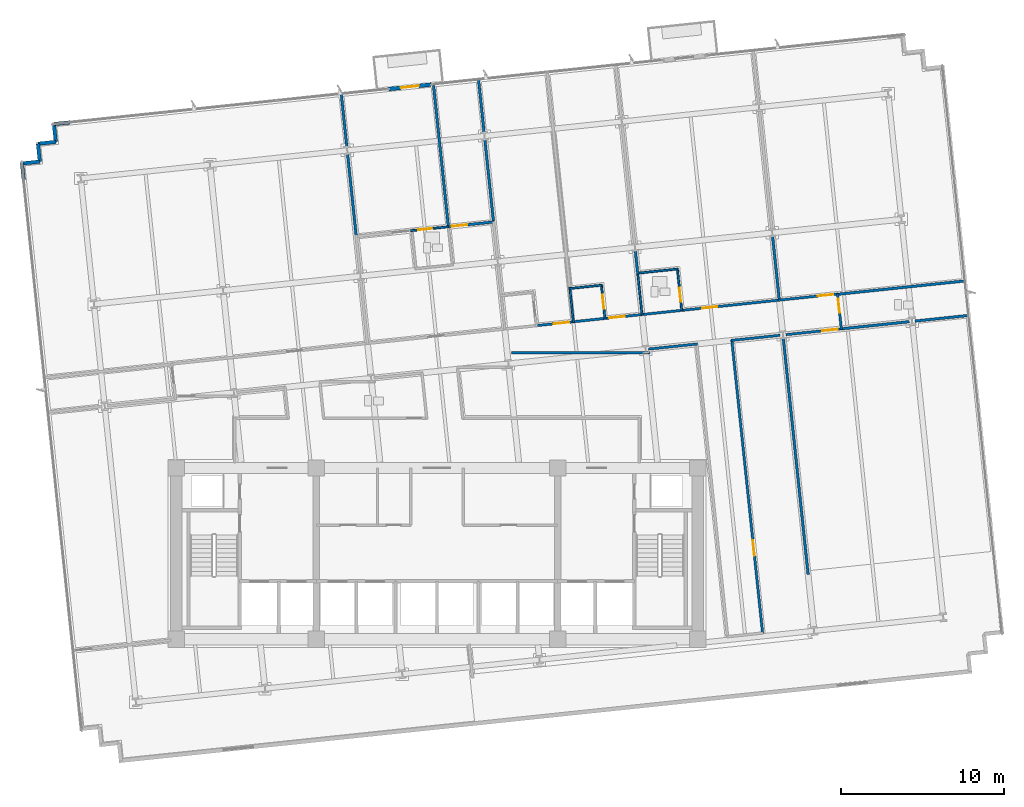
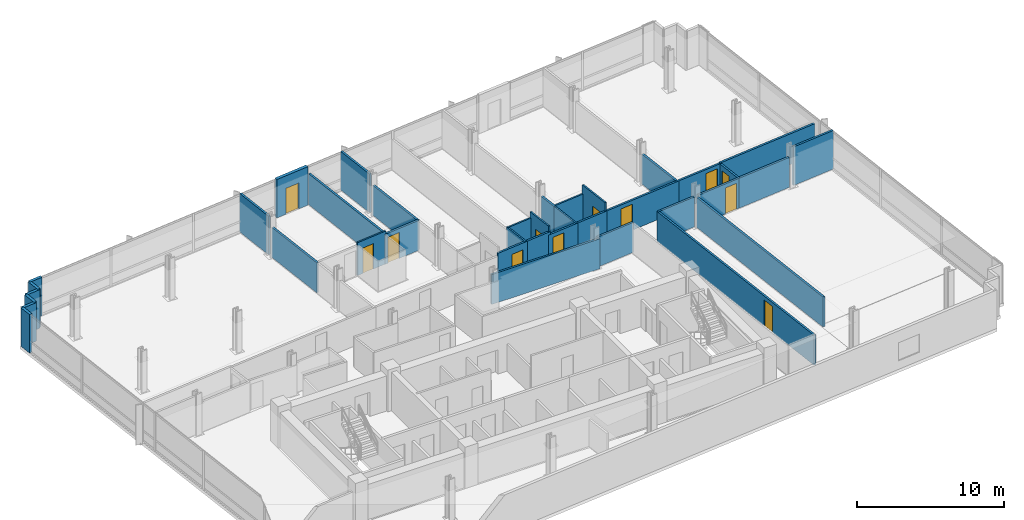
# One storey, part 12 of 17: 38 walls, 12 doors, 12 openings.
"""IFC4 building model written with IfcOpenShell, lengths in metres."""

from ifc_helpers import new_model, si_unit, direction, frame, frame_2d, origin, place, context, subcontext, project, spatial, rectangle, extrude, material, layer, layer_set, type_object, element, fill, save


model = new_model("IFC4")

# Units and contexts
model_context = context("Model", 3, precision=1e-05, world=origin(), true_north=direction((0.0, 1.0)))
body_context = subcontext(model_context, "Body", "Model", "MODEL_VIEW")
ifc_project = project(units=[si_unit("LENGTHUNIT", "METRE"), si_unit("AREAUNIT", "SQUARE_METRE"), si_unit("VOLUMEUNIT", "CUBIC_METRE"), si_unit("PLANEANGLEUNIT", "RADIAN"), si_unit("MASSUNIT", "GRAM", prefix="KILO")], contexts=[model_context])

# Site, building, storey
site_placement = place(None, origin())
site = spatial("IfcSite", under=ifc_project, at=site_placement, CompositionType="ELEMENT")
building_placement = place(site_placement, origin())
building = spatial("IfcBuilding", under=site, at=building_placement, Name="Solmavex Isthmus Hotel", CompositionType="ELEMENT")
storey_placement = place(building_placement, frame((0.0, 0.0, 90.449951171875)))
storey = spatial("IfcBuildingStorey", under=building, at=storey_placement, Name="L24", CompositionType="ELEMENT", Elevation=90.449951171875)

# Wall, opening, door
ifc_material_1 = material(Name="Precast Concrete C40/50", Category="concrete")
ifc_layer_1 = layer(ifc_material_1, 0.25)
ifc_layer_set_1 = layer_set([ifc_layer_1], Name="Precast Concrete C40/50")
wall_type_1 = type_object("IfcWallType", Name="EW-TWR-250", PredefinedType="STANDARD", material=ifc_layer_set_1)
wall_1_placement = place(storey_placement, frame((-2.95458984375, 20.744140625, 0.0), z_axis=(0.0, 0.0, 1.0), x_axis=(0.994523446942, 0.104513699976, 0.0)))
wall_1 = element("IfcWall", 1, at=wall_1_placement, inside=storey, type_object=wall_type_1, Name="Exterior Balcony Door Wall L24-2", PredefinedType="STANDARD", context=body_context, shape_type="SweptSolid", body=[
    extrude(rectangle(XDim=2.599853515625, YDim=0.239990234375, at=frame_2d((1.2998046875, 0.0))), origin(), (0.0, 0.0, 1.0), 3.18994140625),
])
opening_1_placement = place(wall_1_placement, frame((0.75, 0.0, 0.0)))
opening_1 = element("IfcOpeningElement", 2, at=opening_1_placement, cuts=wall_1, Name="Opening ED-02", PredefinedType="OPENING", context=body_context, shape_type="SweptSolid", body=[
    extrude(rectangle(XDim=1.10009765625, YDim=2.14990234375, at=frame_2d((0.550048828125, 1.074951171875))), frame((0.0, 0.1298828125, 0.0), z_axis=(0.0, -1.0, 0.0), x_axis=(1.0, 0.0, 0.0)), (0.0, 0.0, 1.0), 0.260009765625),
])
ifc_material_2 = material(Name="Aluminium alloy 6063-T6", Category="aluminium")
door_type_1 = type_object("IfcDoorType", Name="EDR-BALC-1100", OperationType="NOTDEFINED", PredefinedType="DOOR", material=ifc_material_2)
door_1_placement = place(opening_1_placement, origin())
door_1 = element("IfcDoor", 3, at=door_1_placement, inside=storey, type_object=door_type_1, Name="Balcony & Terrace Glazed Door L24-2", OperationType="SINGLE_SWING_RIGHT", OverallHeight=2.14990234375, OverallWidth=1.10009765625, PredefinedType="DOOR", context=body_context, shape_type="SweptSolid", body=[
    extrude(rectangle(XDim=1.10009765625, YDim=2.14990234375, at=frame_2d((0.550048828125, 1.074951171875))), frame((0.0, 0.02490234375, 0.0), z_axis=(0.0, -1.0, 0.0), x_axis=(1.0, 0.0, 0.0)), (0.0, 0.0, 1.0), 0.050048828125),
])
fill(opening_1, door_1)

# Walls
wall_2_placement = place(storey_placement, frame((-25.35400390625, 15.1923828125, 0.0), z_axis=(0.0, 0.0, 1.0), x_axis=(-0.104556418955, 0.99451895671, 0.0)))
element("IfcWall", 4, at=wall_2_placement, inside=storey, type_object=wall_type_1, Name="Serrated Corner Facade Panel L24-07", PredefinedType="STANDARD", context=body_context, shape_type="SweptSolid", body=[
    extrude(rectangle(XDim=0.989990234375, YDim=0.219970703125, at=frame_2d((0.4951171875, 0.0))), origin(), (0.0, 0.0, 1.0), 3.18994140625),
])
wall_3_placement = place(storey_placement, frame((-25.45751953125, 16.177001953125, 0.0), z_axis=(0.0, 0.0, 1.0), x_axis=(0.994521251134, 0.104534592565, 0.0)))
element("IfcWall", 5, at=wall_3_placement, inside=storey, type_object=wall_type_1, Name="Serrated Corner Facade Panel L24-08", PredefinedType="STANDARD", context=body_context, shape_type="SweptSolid", body=[
    extrude(rectangle(XDim=1.10009765625, YDim=0.219970703125, at=frame_2d((0.550048828125, 0.0))), origin(), (0.0, 0.0, 1.0), 3.18994140625),
])
wall_4_placement = place(storey_placement, frame((-24.363525390625, 16.2919921875, 0.0), z_axis=(0.0, 0.0, 1.0), x_axis=(-0.104557671117, 0.994518825066, 0.0)))
element("IfcWall", 6, at=wall_4_placement, inside=storey, type_object=wall_type_1, Name="Serrated Corner Facade Panel L24-09", PredefinedType="STANDARD", context=body_context, shape_type="SweptSolid", body=[
    extrude(rectangle(XDim=1.099853515625, YDim=0.219970703125, at=frame_2d((0.5498046875, 0.0))), origin(), (0.0, 0.0, 1.0), 3.18994140625),
])
for number, where, z_axis, x_axis, name in (
    (7, (-24.478515625, 17.3857421875, 0.0), (0.0, 0.0, 1.0), (0.994521251134, 0.104534592565, 0.0), "Serrated Corner Facade Panel L24-10"),
    (8, (-23.384521484375, 17.500732421875, 0.0), (0.0, 0.0, 1.0), (-0.104534592565, 0.994521251134, 0.0), "Serrated Corner Facade Panel L24-11"),
):
    element("IfcWall", number, at=place(storey_placement, frame(where, z_axis=z_axis, x_axis=x_axis)), inside=storey, type_object=wall_type_1, Name=name, PredefinedType="STANDARD", context=body_context, shape_type="SweptSolid", body=[
        extrude(rectangle(XDim=1.10009765625, YDim=0.219970703125, at=frame_2d((0.550048828125, 0.0))), origin(), (0.0, 0.0, 1.0), 3.18994140625),
    ])
wall_5_placement = place(storey_placement, frame((-23.49951171875, 18.5947265625, 0.0), z_axis=(0.0, 0.0, 1.0), x_axis=(0.99451895671, 0.104556418955, 0.0)))
element("IfcWall", 9, at=wall_5_placement, inside=storey, type_object=wall_type_1, Name="Serrated Corner Facade Panel L24-12", PredefinedType="STANDARD", context=body_context, shape_type="SweptSolid", body=[
    extrude(rectangle(XDim=0.989990234375, YDim=0.219970703125, at=frame_2d((0.4951171875, 0.0))), origin(), (0.0, 0.0, 1.0), 3.18994140625),
])
ifc_material_3 = material(Name="Gypsum plasterboard lining", Category="gypsum")
ifc_layer_2 = layer(ifc_material_3, 0.159912109375)
ifc_layer_set_2 = layer_set([ifc_layer_2], Name="Gypsum plasterboard lining")
wall_type_2 = type_object("IfcWallType", Name="IW-COMP-160", PredefinedType="PARTITIONING", material=ifc_layer_set_2)
wall_6_placement = place(storey_placement, frame((-5.875732421875, 20.477294921875, 0.0), z_axis=(0.0, 0.0, 1.0), x_axis=(0.10455555946, -0.99451904707, 0.0)))
element("IfcWall", 10, at=wall_6_placement, inside=storey, type_object=wall_type_2, Name="Interior Partition Wall W-L24-P035", PredefinedType="PARTITIONING", context=body_context, shape_type="SweptSolid", body=[
    extrude(rectangle(XDim=3.34375, YDim=0.159912109375, at=frame_2d((1.671875, 0.0))), origin(), (0.0, 0.0, 1.0), 3.18994140625),
])
wall_7_placement = place(storey_placement, frame((-5.4892578125, 16.80126953125, 0.0), z_axis=(0.0, 0.0, 1.0), x_axis=(0.104496874898, -0.994525214933, 0.0)))
element("IfcWall", 11, at=wall_7_placement, inside=storey, type_object=wall_type_2, Name="Interior Partition Wall W-L24-P036", PredefinedType="PARTITIONING", context=body_context, shape_type="SweptSolid", body=[
    extrude(rectangle(XDim=5.207763671875, YDim=0.159912109375, at=frame_2d((2.60400390625, 0.0))), origin(), (0.0, 0.0, 1.0), 2.4794921875),
])

# Wall, opening, door
wall_8_placement = place(storey_placement, frame((0.658447265625, 12.29345703125, 0.0), z_axis=(0.0, 0.0, 1.0), x_axis=(0.994520394476, 0.104542742316, 0.0)))
wall_8 = element("IfcWall", 12, at=wall_8_placement, inside=storey, type_object=wall_type_2, Name="Interior Partition Wall W-L24-P039", PredefinedType="PARTITIONING", context=body_context, shape_type="SweptSolid", body=[
    extrude(rectangle(XDim=2.863037109375, YDim=0.159912109375, at=frame_2d((1.431640625, 0.0))), origin(), (0.0, 0.0, 1.0), 2.4794921875),
])
opening_2_placement = place(wall_8_placement, frame((0.255126953125, 0.0, 0.0)))
opening_2 = element("IfcOpeningElement", 13, at=opening_2_placement, cuts=wall_8, Name="Opening ID-C095", PredefinedType="OPENING", context=body_context, shape_type="SweptSolid", body=[
    extrude(rectangle(XDim=0.949951171875, YDim=2.14990234375, at=frame_2d((0.47509765625, 1.074951171875))), frame((0.0, 0.08984375, 0.0), z_axis=(0.0, -1.0, 0.0), x_axis=(1.0, 0.0, 0.0)), (0.0, 0.0, 1.0), 0.179931640625),
])
ifc_material_4 = material(Name="Hardwood timber", Category="wood")
door_type_2 = type_object("IfcDoorType", Name="IDR-FD60-0950", OperationType="NOTDEFINED", PredefinedType="DOOR", material=ifc_material_4)
door_2_placement = place(opening_2_placement, origin())
door_2 = element("IfcDoor", 14, at=door_2_placement, inside=storey, type_object=door_type_2, Name="Ambassador Suite Sitting Lounge Door L24-04", OperationType="SINGLE_SWING_RIGHT", OverallHeight=2.14990234375, OverallWidth=0.949951171875, PredefinedType="DOOR", context=body_context, shape_type="SweptSolid", body=[
    extrude(rectangle(XDim=0.949951171875, YDim=2.14990234375, at=frame_2d((0.47509765625, 1.074951171875))), frame((0.0, 0.02490234375, 0.0), z_axis=(0.0, -1.0, 0.0), x_axis=(1.0, 0.0, 0.0)), (0.0, 0.0, 1.0), 0.050048828125),
])
fill(opening_2, door_2)

# Walls
wall_9_placement = place(storey_placement, frame((-0.211181640625, 20.951904296875, 0.0), z_axis=(0.0, 0.0, 1.0), x_axis=(0.104504516849, -0.994524411947, 0.0)))
element("IfcWall", 15, at=wall_9_placement, inside=storey, type_object=wall_type_2, Name="Interior Partition Wall W-L24-P046", PredefinedType="PARTITIONING", context=body_context, shape_type="SweptSolid", body=[
    extrude(rectangle(XDim=8.741943359375, YDim=0.159912109375, at=frame_2d((4.37109375, 0.0))), origin(), (0.0, 0.0, 1.0), 2.55322265625),
])
wall_10_placement = place(storey_placement, frame((2.5439453125, 21.3623046875, 0.0), z_axis=(0.0, 0.0, 1.0), x_axis=(0.10455555946, -0.99451904707, 0.0)))
element("IfcWall", 16, at=wall_10_placement, inside=storey, type_object=wall_type_2, Name="Interior Partition Wall W-L24-P048", PredefinedType="PARTITIONING", context=body_context, shape_type="SweptSolid", body=[
    extrude(rectangle(XDim=3.34375, YDim=0.159912109375, at=frame_2d((1.671875, 0.0))), origin(), (0.0, 0.0, 1.0), 3.18994140625),
])
wall_11_placement = place(storey_placement, frame((2.93017578125, 17.686279296875, 0.0), z_axis=(0.0, 0.0, 1.0), x_axis=(0.104542093026, -0.994520462728, 0.0)))
element("IfcWall", 17, at=wall_11_placement, inside=storey, type_object=wall_type_2, Name="Interior Partition Wall W-L24-P049", PredefinedType="PARTITIONING", context=body_context, shape_type="SweptSolid", body=[
    extrude(rectangle(XDim=5.165771484375, YDim=0.159912109375, at=frame_2d((2.5830078125, 0.0))), origin(), (0.0, 0.0, 1.0), 2.4794921875),
])
wall_12_placement = place(storey_placement, frame((12.16015625, 10.86181640625, 0.0), z_axis=(0.0, 0.0, 1.0), x_axis=(0.104549570968, -0.994519676633, 0.0)))
element("IfcWall", 18, at=wall_12_placement, inside=storey, type_object=wall_type_2, Name="Interior Partition Wall W-L24-P058", PredefinedType="PARTITIONING", context=body_context, shape_type="SweptSolid", body=[
    extrude(rectangle(XDim=1.50390625, YDim=0.159912109375, at=frame_2d((0.751953125, 0.0))), origin(), (0.0, 0.0, 1.0), 2.4794921875),
])
wall_13_placement = place(storey_placement, frame((20.579833984375, 11.74658203125, 0.0), z_axis=(0.0, 0.0, 1.0), x_axis=(0.104551732594, -0.994519449388, 0.0)))
element("IfcWall", 19, at=wall_13_placement, inside=storey, type_object=wall_type_2, Name="Interior Partition Wall W-L24-P064", PredefinedType="PARTITIONING", context=body_context, shape_type="SweptSolid", body=[
    extrude(rectangle(XDim=4.01171875, YDim=0.159912109375, at=frame_2d((2.005859375, 0.0))), origin(), (0.0, 0.0, 1.0), 2.4794921875),
])
wall_14_placement = place(storey_placement, frame((32.422119140625, 8.9775390625, 0.0), z_axis=(0.0, 0.0, 1.0), x_axis=(-0.994522987852, -0.104518068455, 0.0)))
element("IfcWall", 20, at=wall_14_placement, inside=storey, type_object=wall_type_2, Name="Interior Partition Wall W-L24-P065", PredefinedType="PARTITIONING", context=body_context, shape_type="SweptSolid", body=[
    extrude(rectangle(XDim=7.927978515625, YDim=0.159912109375, at=frame_2d((3.9638671875, 0.0))), origin(), (0.0, 0.0, 1.0), 2.55322265625),
])
wall_15_placement = place(storey_placement, frame((28.96875, 6.472900390625, 0.0), z_axis=(0.0, 0.0, 1.0), x_axis=(-0.994520616656, -0.104540628691, 0.0)))
element("IfcWall", 21, at=wall_15_placement, inside=storey, type_object=wall_type_2, Name="Interior Partition Wall W-L24-P066", PredefinedType="PARTITIONING", context=body_context, shape_type="SweptSolid", body=[
    extrude(rectangle(XDim=4.231689453125, YDim=0.159912109375, at=frame_2d((2.11572265625, 0.0))), origin(), (0.0, 0.0, 1.0), 2.4794921875),
])
wall_16_placement = place(storey_placement, frame((32.644775390625, 6.859130859375, 0.0), z_axis=(0.0, 0.0, 1.0), x_axis=(-0.994526636649, -0.10448334315, 0.0)))
element("IfcWall", 22, at=wall_16_placement, inside=storey, type_object=wall_type_2, Name="Interior Partition Wall W-L24-P067", PredefinedType="PARTITIONING", context=body_context, shape_type="SweptSolid", body=[
    extrude(rectangle(XDim=3.34375, YDim=0.159912109375, at=frame_2d((1.671875, 0.0))), origin(), (0.0, 0.0, 1.0), 3.18994140625),
])
wall_17_placement = place(storey_placement, frame((21.238037109375, 5.483154296875, 0.0), z_axis=(0.0, 0.0, 1.0), x_axis=(0.104536865283, -0.994521012245, 0.0)))
element("IfcWall", 23, at=wall_17_placement, inside=storey, type_object=wall_type_2, Name="Interior Partition Wall W-L24-P072", PredefinedType="PARTITIONING", context=body_context, shape_type="SweptSolid", body=[
    extrude(rectangle(XDim=14.60595703125, YDim=0.159912109375, at=frame_2d((7.302978515625, 0.0))), origin(), (0.0, 0.0, 1.0), 2.4794921875),
])

# Wall, opening, door
ifc_layer_3 = layer(ifc_material_3, 0.14990234375)
ifc_layer_set_3 = layer_set([ifc_layer_3], Name="Gypsum plasterboard lining")
wall_type_3 = type_object("IfcWallType", Name="IW-CORR-150", PredefinedType="PARTITIONING", material=ifc_layer_set_3)
wall_18_placement = place(storey_placement, frame((6.0107421875, 6.2216796875, 0.0), z_axis=(0.0, 0.0, 1.0), x_axis=(0.99452018747, 0.10454471156, 0.0)))
wall_18 = element("IfcWall", 24, at=wall_18_placement, inside=storey, type_object=wall_type_3, Name="Interior Partition Wall W-L24-P003", PredefinedType="PARTITIONING", context=body_context, shape_type="SweptSolid", body=[
    extrude(rectangle(XDim=2.44970703125, YDim=0.14990234375, at=frame_2d((1.224853515625, 0.0))), origin(), (0.0, 0.0, 1.0), 2.71826171875),
])
opening_3_placement = place(wall_18_placement, frame((1.14794921875, 0.0, 0.0)))
opening_3 = element("IfcOpeningElement", 25, at=opening_3_placement, cuts=wall_18, Name="Opening ID-C095", PredefinedType="OPENING", context=body_context, shape_type="SweptSolid", body=[
    extrude(rectangle(XDim=0.949951171875, YDim=2.14990234375, at=frame_2d((0.47509765625, 1.074951171875))), frame((0.0, 0.0849609375, 0.0), z_axis=(0.0, -1.0, 0.0), x_axis=(1.0, 0.0, 0.0)), (0.0, 0.0, 1.0), 0.169921875),
])
door_3_placement = place(opening_3_placement, origin())
door_3 = element("IfcDoor", 26, at=door_3_placement, inside=storey, type_object=door_type_2, Name="Club Guest Room Door L24-06", OperationType="SINGLE_SWING_RIGHT", OverallHeight=2.14990234375, OverallWidth=0.949951171875, PredefinedType="DOOR", context=body_context, shape_type="SweptSolid", body=[
    extrude(rectangle(XDim=0.949951171875, YDim=2.14990234375, at=frame_2d((0.47509765625, 1.074951171875))), frame((0.0, 0.02490234375, 0.0), z_axis=(0.0, -1.0, 0.0), x_axis=(1.0, 0.0, 0.0)), (0.0, 0.0, 1.0), 0.050048828125),
])
fill(opening_3, door_3)

wall_19_placement = place(storey_placement, frame((10.220458984375, 6.6640625, 0.0), z_axis=(0.0, 0.0, 1.0), x_axis=(0.994521276566, 0.104534350613, 0.0)))
wall_19 = element("IfcWall", 27, at=wall_19_placement, inside=storey, type_object=wall_type_3, Name="Interior Partition Wall W-L24-P005", PredefinedType="PARTITIONING", context=body_context, shape_type="SweptSolid", body=[
    extrude(rectangle(XDim=2.449951171875, YDim=0.14990234375, at=frame_2d((1.22509765625, 0.0))), origin(), (0.0, 0.0, 1.0), 2.4794921875),
])
opening_4_placement = place(wall_19_placement, frame((0.351806640625, 0.0, 0.0)))
opening_4 = element("IfcOpeningElement", 28, at=opening_4_placement, cuts=wall_19, Name="Opening ID-C095", PredefinedType="OPENING", context=body_context, shape_type="SweptSolid", body=[
    extrude(rectangle(XDim=0.949951171875, YDim=2.14990234375, at=frame_2d((0.47509765625, 1.074951171875))), frame((0.0, 0.0849609375, 0.0), z_axis=(0.0, -1.0, 0.0), x_axis=(1.0, 0.0, 0.0)), (0.0, 0.0, 1.0), 0.169921875),
])
door_4_placement = place(opening_4_placement, origin())
door_4 = element("IfcDoor", 29, at=door_4_placement, inside=storey, type_object=door_type_2, Name="Deluxe Guest Room Door L24-08", OperationType="SINGLE_SWING_RIGHT", OverallHeight=2.14990234375, OverallWidth=0.949951171875, PredefinedType="DOOR", context=body_context, shape_type="SweptSolid", body=[
    extrude(rectangle(XDim=0.949951171875, YDim=2.14990234375, at=frame_2d((0.47509765625, 1.074951171875))), frame((0.0, 0.02490234375, 0.0), z_axis=(0.0, -1.0, 0.0), x_axis=(1.0, 0.0, 0.0)), (0.0, 0.0, 1.0), 0.050048828125),
])
fill(opening_4, door_4)

# Wall
wall_20_placement = place(storey_placement, frame((8.283935546875, 6.460693359375, 0.0), z_axis=(0.0, 0.0, 1.0), x_axis=(0.994520650134, 0.1045403102, 0.0)))
element("IfcWall", 30, at=wall_20_placement, inside=storey, type_object=wall_type_3, Name="Interior Partition Wall W-L24-P006", PredefinedType="PARTITIONING", context=body_context, shape_type="SweptSolid", body=[
    extrude(rectangle(XDim=2.111083984375, YDim=0.14990234375, at=frame_2d((1.0556640625, 0.0))), origin(), (0.0, 0.0, 1.0), 2.71826171875),
])

# Wall, opening, door
wall_21_placement = place(storey_placement, frame((14.930419921875, 7.1591796875, 0.0), z_axis=(0.0, 0.0, 1.0), x_axis=(0.994521891766, 0.104528497542, 0.0)))
wall_21 = element("IfcWall", 31, at=wall_21_placement, inside=storey, type_object=wall_type_3, Name="Interior Partition Wall W-L24-P007", PredefinedType="PARTITIONING", context=body_context, shape_type="SweptSolid", body=[
    extrude(rectangle(XDim=6.18017578125, YDim=0.14990234375, at=frame_2d((3.090087890625, 0.0))), origin(), (0.0, 0.0, 1.0), 2.4794921875),
])
opening_5_placement = place(wall_21_placement, frame((1.333984375, 0.0, 0.0)))
opening_5 = element("IfcOpeningElement", 32, at=opening_5_placement, cuts=wall_21, Name="Opening ID-C095", PredefinedType="OPENING", context=body_context, shape_type="SweptSolid", body=[
    extrude(rectangle(XDim=0.949951171875, YDim=2.14990234375, at=frame_2d((0.47509765625, 1.074951171875))), frame((0.0, 0.0849609375, 0.0), z_axis=(0.0, -1.0, 0.0), x_axis=(1.0, 0.0, 0.0)), (0.0, 0.0, 1.0), 0.169921875),
])
door_5_placement = place(opening_5_placement, origin())
door_5 = element("IfcDoor", 33, at=door_5_placement, inside=storey, type_object=door_type_2, Name="Diplomatic Suite Door L24-10", OperationType="SINGLE_SWING_RIGHT", OverallHeight=2.14990234375, OverallWidth=0.949951171875, PredefinedType="DOOR", context=body_context, shape_type="SweptSolid", body=[
    extrude(rectangle(XDim=0.949951171875, YDim=2.14990234375, at=frame_2d((0.47509765625, 1.074951171875))), frame((0.0, 0.02490234375, 0.0), z_axis=(0.0, -1.0, 0.0), x_axis=(1.0, 0.0, 0.0)), (0.0, 0.0, 1.0), 0.050048828125),
])
fill(opening_5, door_5)

# Wall
wall_22_placement = place(storey_placement, frame((12.493896484375, 6.903076171875, 0.0), z_axis=(0.0, 0.0, 1.0), x_axis=(0.994523350694, 0.104514615837, 0.0)))
element("IfcWall", 34, at=wall_22_placement, inside=storey, type_object=wall_type_3, Name="Interior Partition Wall W-L24-P008", PredefinedType="PARTITIONING", context=body_context, shape_type="SweptSolid", body=[
    extrude(rectangle(XDim=2.614013671875, YDim=0.14990234375, at=frame_2d((1.30712890625, 0.0))), origin(), (0.0, 0.0, 1.0), 2.4794921875),
])

# Wall, opening, door
wall_23_placement = place(storey_placement, frame((20.913330078125, 7.7880859375, 0.0), z_axis=(0.0, 0.0, 1.0), x_axis=(0.994525920558, 0.104490159046, 0.0)))
wall_23 = element("IfcWall", 35, at=wall_23_placement, inside=storey, type_object=wall_type_3, Name="Interior Partition Wall W-L24-P009", PredefinedType="PARTITIONING", context=body_context, shape_type="SweptSolid", body=[
    extrude(rectangle(XDim=3.721923828125, YDim=0.14990234375, at=frame_2d((1.86083984375, 0.0))), origin(), (0.0, 0.0, 1.0), 2.4794921875),
])
opening_6_placement = place(wall_23_placement, frame((2.456787109375, 0.0, 0.0)))
opening_6 = element("IfcOpeningElement", 36, at=opening_6_placement, cuts=wall_23, Name="Opening ID-C095", PredefinedType="OPENING", context=body_context, shape_type="SweptSolid", body=[
    extrude(rectangle(XDim=0.949951171875, YDim=2.14990234375, at=frame_2d((0.47509765625, 1.074951171875))), frame((0.0, 0.0849609375, 0.0), z_axis=(0.0, -1.0, 0.0), x_axis=(1.0, 0.0, 0.0)), (0.0, 0.0, 1.0), 0.169921875),
])
door_6_placement = place(opening_6_placement, origin())
door_6 = element("IfcDoor", 37, at=door_6_placement, inside=storey, type_object=door_type_2, Name="Corporate Briefing Office Door L24-12", OperationType="SINGLE_SWING_RIGHT", OverallHeight=2.14990234375, OverallWidth=0.949951171875, PredefinedType="DOOR", context=body_context, shape_type="SweptSolid", body=[
    extrude(rectangle(XDim=0.949951171875, YDim=2.14990234375, at=frame_2d((0.47509765625, 1.074951171875))), frame((0.0, 0.02490234375, 0.0), z_axis=(0.0, -1.0, 0.0), x_axis=(1.0, 0.0, 0.0)), (0.0, 0.0, 1.0), 0.050048828125),
])
fill(opening_6, door_6)

wall_24_placement = place(storey_placement, frame((24.5732421875, 8.19287109375, 0.0), z_axis=(0.0, 0.0, 1.0), x_axis=(0.104500773718, -0.994524805267, 0.0)))
wall_24 = element("IfcWall", 38, at=wall_24_placement, inside=storey, type_object=wall_type_3, Name="Interior Partition Wall W-L24-P015", PredefinedType="PARTITIONING", context=body_context, shape_type="SweptSolid", body=[
    extrude(rectangle(XDim=2.210205078125, YDim=0.14990234375, at=frame_2d((1.10498046875, 0.0))), origin(), (0.0, 0.0, 1.0), 2.4794921875),
])
opening_7_placement = place(wall_24_placement, frame((0.322265625, 0.0, 0.0)))
opening_7 = element("IfcOpeningElement", 39, at=opening_7_placement, cuts=wall_24, Name="Opening ID-R085", PredefinedType="OPENING", context=body_context, shape_type="SweptSolid", body=[
    extrude(rectangle(XDim=0.85009765625, YDim=2.050048828125, at=frame_2d((0.425048828125, 1.02490234375))), frame((0.0, 0.0849609375, 0.0), z_axis=(0.0, -1.0, 0.0), x_axis=(1.0, 0.0, 0.0)), (0.0, 0.0, 1.0), 0.169921875),
])
ifc_material_5 = material(Name="Steel ASTM A500 Grade C", Category="steel")
door_type_3 = type_object("IfcDoorType", Name="IDR-FD60-0850", OperationType="NOTDEFINED", PredefinedType="DOOR", material=ifc_material_5)
door_7_placement = place(opening_7_placement, origin())
door_7 = element("IfcDoor", 40, at=door_7_placement, inside=storey, type_object=door_type_3, Name="Public Restroom WC Door L24-14", OperationType="SINGLE_SWING_RIGHT", OverallHeight=2.050048828125, OverallWidth=0.85009765625, PredefinedType="DOOR", context=body_context, shape_type="SweptSolid", body=[
    extrude(rectangle(XDim=0.85009765625, YDim=2.050048828125, at=frame_2d((0.425048828125, 1.02490234375))), frame((0.0, 0.02490234375, 0.0), z_axis=(0.0, -1.0, 0.0), x_axis=(1.0, 0.0, 0.0)), (0.0, 0.0, 1.0), 0.050048828125),
])
fill(opening_7, door_7)

# Wall
wall_25_placement = place(storey_placement, frame((21.04443359375, 5.639892578125, 0.0), z_axis=(0.0, 0.0, 1.0), x_axis=(-0.994527160177, -0.104478359817, 0.0)))
element("IfcWall", 41, at=wall_25_placement, inside=storey, type_object=wall_type_3, Name="Interior Partition Wall W-L24-P022", PredefinedType="PARTITIONING", context=body_context, shape_type="SweptSolid", body=[
    extrude(rectangle(XDim=3.016845703125, YDim=0.14990234375, at=frame_2d((1.50830078125, 0.0))), origin(), (0.0, 0.0, 1.0), 2.4794921875),
])

# Wall, opening, door
wall_26_placement = place(storey_placement, frame((18.079833984375, 5.36865234375, 0.0), z_axis=(0.0, 0.0, 1.0), x_axis=(0.104523559353, -0.994522410778, 0.0)))
wall_26 = element("IfcWall", 42, at=wall_26_placement, inside=storey, type_object=wall_type_3, Name="Interior Partition Wall W-L24-P023", PredefinedType="PARTITIONING", context=body_context, shape_type="SweptSolid", body=[
    extrude(rectangle(XDim=18.130126953125, YDim=0.14990234375, at=frame_2d((9.06494140625, 0.0))), origin(), (0.0, 0.0, 1.0), 2.4794921875),
])
opening_8_placement = place(wall_26_placement, frame((12.380615234375, 0.0, 0.0)))
opening_8 = element("IfcOpeningElement", 43, at=opening_8_placement, cuts=wall_26, Name="Opening ID-C095", PredefinedType="OPENING", context=body_context, shape_type="SweptSolid", body=[
    extrude(rectangle(XDim=0.949951171875, YDim=2.14990234375, at=frame_2d((0.47509765625, 1.074951171875))), frame((0.0, 0.0849609375, 0.0), z_axis=(0.0, -1.0, 0.0), x_axis=(1.0, 0.0, 0.0)), (0.0, 0.0, 1.0), 0.169921875),
])
door_8_placement = place(opening_8_placement, origin())
door_8 = element("IfcDoor", 44, at=door_8_placement, inside=storey, type_object=door_type_2, Name="Corporate Briefing Office Door L24-18", OperationType="SINGLE_SWING_RIGHT", OverallHeight=2.14990234375, OverallWidth=0.949951171875, PredefinedType="DOOR", context=body_context, shape_type="SweptSolid", body=[
    extrude(rectangle(XDim=0.949951171875, YDim=2.14990234375, at=frame_2d((0.47509765625, 1.074951171875))), frame((0.0, 0.02490234375, 0.0), z_axis=(0.0, -1.0, 0.0), x_axis=(1.0, 0.0, 0.0)), (0.0, 0.0, 1.0), 0.050048828125),
])
fill(opening_8, door_8)

# Walls
wall_27_placement = place(storey_placement, frame((15.9755859375, 5.107177734375, 0.0), z_axis=(0.0, 0.0, 1.0), x_axis=(-0.994518748051, -0.104558403652, 0.0)))
element("IfcWall", 45, at=wall_27_placement, inside=storey, type_object=wall_type_3, Name="Interior Partition Wall W-L24-P026", PredefinedType="PARTITIONING", context=body_context, shape_type="SweptSolid", body=[
    extrude(rectangle(XDim=3.016845703125, YDim=0.14990234375, at=frame_2d((1.50830078125, 0.0))), origin(), (0.0, 0.0, 1.0), 2.4794921875),
])
wall_28_placement = place(storey_placement, frame((13.05517578125, 4.558349609375, 0.0), z_axis=(0.0, 0.0, 1.0), x_axis=(-1.0, 0.0, 0.0)))
element("IfcWall", 46, at=wall_28_placement, inside=storey, type_object=wall_type_3, Name="Interior Partition Wall W-L24-P027", PredefinedType="PARTITIONING", context=body_context, shape_type="SweptSolid", body=[
    extrude(rectangle(XDim=8.49951171875, YDim=0.14990234375, at=frame_2d((4.249755859375, 0.0))), origin(), (0.0, 0.0, 1.0), 2.4794921875),
])

# Wall, opening, door
wall_29_placement = place(storey_placement, frame((24.83984375, 6.038818359375, 0.0), z_axis=(0.0, 0.0, 1.0), x_axis=(-0.994522047476, -0.104527016046, 0.0)))
wall_29 = element("IfcWall", 47, at=wall_29_placement, inside=storey, type_object=wall_type_3, Name="Interior Partition Wall W-L24-P032", PredefinedType="PARTITIONING", context=body_context, shape_type="SweptSolid", body=[
    extrude(rectangle(XDim=3.4638671875, YDim=0.14990234375, at=frame_2d((1.73193359375, 0.0))), origin(), (0.0, 0.0, 1.0), 2.4794921875),
])
opening_9_placement = place(wall_29_placement, frame((0.26220703125, 0.0, 0.0)))
opening_9 = element("IfcOpeningElement", 48, at=opening_9_placement, cuts=wall_29, Name="Opening ID-C095", PredefinedType="OPENING", context=body_context, shape_type="SweptSolid", body=[
    extrude(rectangle(XDim=0.949951171875, YDim=2.14990234375, at=frame_2d((0.47509765625, 1.074951171875))), frame((0.0, 0.0849609375, 0.0), z_axis=(0.0, -1.0, 0.0), x_axis=(1.0, 0.0, 0.0)), (0.0, 0.0, 1.0), 0.169921875),
])
door_9_placement = place(opening_9_placement, frame((0.949951171875, 0.0, 0.0), z_axis=(0.0, 0.0, 1.0), x_axis=(-1.0, 0.0, 0.0)))
door_9 = element("IfcDoor", 49, at=door_9_placement, inside=storey, type_object=door_type_2, Name="VIP Briefing Office Door L24-19", OperationType="SINGLE_SWING_LEFT", OverallHeight=2.14990234375, OverallWidth=0.949951171875, PredefinedType="DOOR", context=body_context, shape_type="SweptSolid", body=[
    extrude(rectangle(XDim=0.949951171875, YDim=2.14990234375, at=frame_2d((0.47509765625, 1.074951171875))), frame((0.0, 0.02490234375, 0.0), z_axis=(0.0, -1.0, 0.0), x_axis=(1.0, 0.0, 0.0)), (0.0, 0.0, 1.0), 0.050048828125),
])
fill(opening_9, door_9)

ifc_layer_4 = layer(ifc_material_3, 0.1201171875)
ifc_layer_set_4 = layer_set([ifc_layer_4], Name="Gypsum plasterboard lining")
wall_type_4 = type_object("IfcWallType", Name="IW-PART-120", PredefinedType="PARTITIONING", material=ifc_layer_set_4)
wall_30_placement = place(storey_placement, frame((0.738037109375, 12.3017578125, 0.0), z_axis=(0.0, 0.0, 1.0), x_axis=(-0.99452742736, -0.104475816474, 0.0)))
wall_30 = element("IfcWall", 50, at=wall_30_placement, inside=storey, type_object=wall_type_4, Name="Interior Partition Wall W-L24-P047", PredefinedType="PARTITIONING", context=body_context, shape_type="SweptSolid", body=[
    extrude(rectangle(XDim=2.371826171875, YDim=0.1201171875, at=frame_2d((1.18603515625, 0.0))), origin(), (0.0, 0.0, 1.0), 2.71826171875),
])
opening_10_placement = place(wall_30_placement, frame((1.0498046875, 0.0, 0.0)))
opening_10 = element("IfcOpeningElement", 51, at=opening_10_placement, cuts=wall_30, Name="Opening ID-U085", PredefinedType="OPENING", context=body_context, shape_type="SweptSolid", body=[
    extrude(rectangle(XDim=0.85009765625, YDim=2.10009765625, at=frame_2d((0.425048828125, 1.050048828125))), frame((0.0, 0.070068359375, 0.0), z_axis=(0.0, -1.0, 0.0), x_axis=(1.0, 0.0, 0.0)), (0.0, 0.0, 1.0), 0.14013671875),
])
door_type_4 = type_object("IfcDoorType", Name="IDR-UNR-0850", OperationType="NOTDEFINED", PredefinedType="DOOR", material=ifc_material_4)
door_10_placement = place(opening_10_placement, frame((0.85009765625, 0.0, 0.0), z_axis=(0.0, 0.0, 1.0), x_axis=(-1.0, 0.0, 0.0)))
door_10 = element("IfcDoor", 52, at=door_10_placement, inside=storey, type_object=door_type_4, Name="En-suite Bathroom Door L24-05", OperationType="SINGLE_SWING_LEFT", OverallHeight=2.10009765625, OverallWidth=0.85009765625, PredefinedType="DOOR", context=body_context, shape_type="SweptSolid", body=[
    extrude(rectangle(XDim=0.85009765625, YDim=2.10009765625, at=frame_2d((0.425048828125, 1.050048828125))), frame((0.0, 0.02490234375, 0.0), z_axis=(0.0, -1.0, 0.0), x_axis=(1.0, 0.0, 0.0)), (0.0, 0.0, 1.0), 0.050048828125),
])
fill(opening_10, door_10)

# Wall
wall_31_placement = place(storey_placement, frame((8.142822265625, 8.589599609375, 0.0), z_axis=(0.0, 0.0, 1.0), x_axis=(0.104421482951, -0.994533133635, 0.0)))
element("IfcWall", 53, at=wall_31_placement, inside=storey, type_object=wall_type_4, Name="Interior Partition Wall W-L24-P053", PredefinedType="PARTITIONING", context=body_context, shape_type="SweptSolid", body=[
    extrude(rectangle(XDim=2.172119140625, YDim=0.1201171875, at=frame_2d((1.0859375, 0.0))), origin(), (0.0, 0.0, 1.0), 2.71826171875),
])

# Wall, opening, door
wall_32_placement = place(storey_placement, frame((10.30615234375, 6.633056640625, 0.0), z_axis=(0.0, 0.0, 1.0), x_axis=(-0.104541575795, 0.994520517099, 0.0)))
wall_32 = element("IfcWall", 54, at=wall_32_placement, inside=storey, type_object=wall_type_4, Name="Interior Partition Wall W-L24-P054", PredefinedType="PARTITIONING", context=body_context, shape_type="SweptSolid", body=[
    extrude(rectangle(XDim=2.1298828125, YDim=0.1201171875, at=frame_2d((1.06494140625, 0.0))), origin(), (0.0, 0.0, 1.0), 3.18994140625),
])
opening_11_placement = place(wall_32_placement, frame((0.639892578125, 0.0, 0.0)))
opening_11 = element("IfcOpeningElement", 55, at=opening_11_placement, cuts=wall_32, Name="Opening ID-U085", PredefinedType="OPENING", context=body_context, shape_type="SweptSolid", body=[
    extrude(rectangle(XDim=0.85009765625, YDim=2.10009765625, at=frame_2d((0.425048828125, 1.050048828125))), frame((0.0, 0.070068359375, 0.0), z_axis=(0.0, -1.0, 0.0), x_axis=(1.0, 0.0, 0.0)), (0.0, 0.0, 1.0), 0.14013671875),
])
door_11_placement = place(opening_11_placement, origin())
door_11 = element("IfcDoor", 56, at=door_11_placement, inside=storey, type_object=door_type_4, Name="En-suite Bathroom Door L24-09", OperationType="SINGLE_SWING_LEFT", OverallHeight=2.10009765625, OverallWidth=0.85009765625, PredefinedType="DOOR", context=body_context, shape_type="SweptSolid", body=[
    extrude(rectangle(XDim=0.85009765625, YDim=2.10009765625, at=frame_2d((0.425048828125, 1.050048828125))), frame((0.0, 0.02490234375, 0.0), z_axis=(0.0, -1.0, 0.0), x_axis=(1.0, 0.0, 0.0)), (0.0, 0.0, 1.0), 0.050048828125),
])
fill(opening_11, door_11)

# Walls
wall_33_placement = place(storey_placement, frame((10.127685546875, 8.715576171875, 0.0), z_axis=(0.0, 0.0, 1.0), x_axis=(-0.994521279075, -0.104534326742, 0.0)))
element("IfcWall", 57, at=wall_33_placement, inside=storey, type_object=wall_type_4, Name="Interior Partition Wall W-L24-P055", PredefinedType="PARTITIONING", context=body_context, shape_type="SweptSolid", body=[
    extrude(rectangle(XDim=2.027099609375, YDim=0.1201171875, at=frame_2d((1.013671875, 0.0))), origin(), (0.0, 0.0, 1.0), 2.71826171875),
])
wall_34_placement = place(storey_placement, frame((12.30029296875, 9.529296875, 0.0), z_axis=(0.0, 0.0, 1.0), x_axis=(0.104523077253, -0.994522461447, 0.0)))
element("IfcWall", 58, at=wall_34_placement, inside=storey, type_object=wall_type_4, Name="Interior Partition Wall W-L24-P059", PredefinedType="PARTITIONING", context=body_context, shape_type="SweptSolid", body=[
    extrude(rectangle(XDim=2.672119140625, YDim=0.1201171875, at=frame_2d((1.3359375, 0.0))), origin(), (0.0, 0.0, 1.0), 2.4794921875),
])

# Wall, opening, door
wall_35_placement = place(storey_placement, frame((15.01611328125, 7.1279296875, 0.0), z_axis=(0.0, 0.0, 1.0), x_axis=(-0.104520496269, 0.994522732701, 0.0)))
wall_35 = element("IfcWall", 59, at=wall_35_placement, inside=storey, type_object=wall_type_4, Name="Interior Partition Wall W-L24-P060", PredefinedType="PARTITIONING", context=body_context, shape_type="SweptSolid", body=[
    extrude(rectangle(XDim=2.630126953125, YDim=0.1201171875, at=frame_2d((1.31494140625, 0.0))), origin(), (0.0, 0.0, 1.0), 3.18994140625),
])
opening_12_placement = place(wall_35_placement, frame((0.568603515625, 0.0, 0.0)))
opening_12 = element("IfcOpeningElement", 60, at=opening_12_placement, cuts=wall_35, Name="Opening ID-U085", PredefinedType="OPENING", context=body_context, shape_type="SweptSolid", body=[
    extrude(rectangle(XDim=0.85009765625, YDim=2.10009765625, at=frame_2d((0.425048828125, 1.050048828125))), frame((0.0, 0.070068359375, 0.0), z_axis=(0.0, -1.0, 0.0), x_axis=(1.0, 0.0, 0.0)), (0.0, 0.0, 1.0), 0.14013671875),
])
door_12_placement = place(opening_12_placement, frame((0.85009765625, 0.0, 0.0), z_axis=(0.0, 0.0, 1.0), x_axis=(-1.0, 0.0, 0.0)))
door_12 = element("IfcDoor", 61, at=door_12_placement, inside=storey, type_object=door_type_4, Name="En-suite Bathroom Door L24-11", OperationType="SINGLE_SWING_LEFT", OverallHeight=2.10009765625, OverallWidth=0.85009765625, PredefinedType="DOOR", context=body_context, shape_type="SweptSolid", body=[
    extrude(rectangle(XDim=0.85009765625, YDim=2.10009765625, at=frame_2d((0.425048828125, 1.050048828125))), frame((0.0, 0.02490234375, 0.0), z_axis=(0.0, -1.0, 0.0), x_axis=(1.0, 0.0, 0.0)), (0.0, 0.0, 1.0), 0.050048828125),
])
fill(opening_12, door_12)

# Wall
wall_36_placement = place(storey_placement, frame((14.78515625, 9.7080078125, 0.0), z_axis=(0.0, 0.0, 1.0), x_axis=(-0.994523944136, -0.104508968707, 0.0)))
element("IfcWall", 62, at=wall_36_placement, inside=storey, type_object=wall_type_4, Name="Interior Partition Wall W-L24-P061", PredefinedType="PARTITIONING", context=body_context, shape_type="SweptSolid", body=[
    extrude(rectangle(XDim=2.530029296875, YDim=0.1201171875, at=frame_2d((1.26513671875, 0.0))), origin(), (0.0, 0.0, 1.0), 2.4794921875),
])

save(model, "model.ifc")
